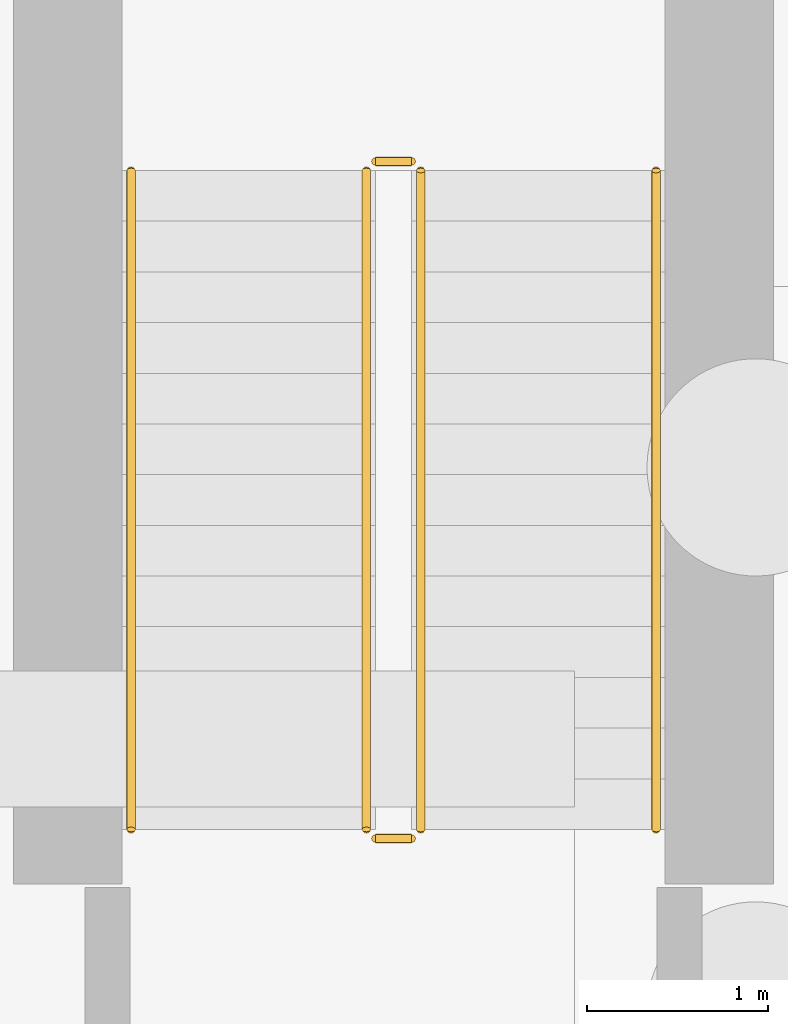
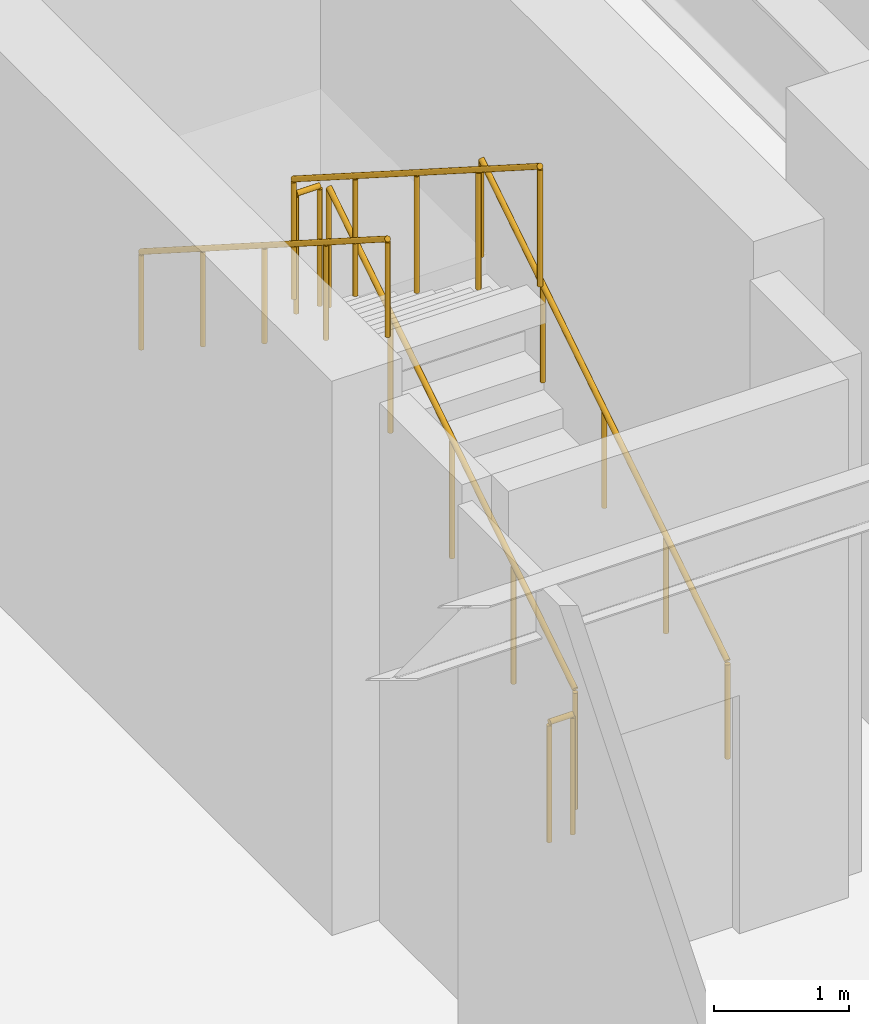
# One storey, part 14 of 15: 6 railings.
"""IFC4 building model written with IfcOpenShell, lengths in metres."""

from ifc_helpers import new_model, si_unit, direction, frame, origin, origin_2d, place, context, subcontext, project, spatial, circle, extrude, material, type_object, element, save


model = new_model("IFC4")

# Units and contexts
model_context = context("Model", 3, precision=1e-05, world=origin(), true_north=direction((0.0, 1.0)))
body_context = subcontext(model_context, "Body", "Model", "MODEL_VIEW")
ifc_project = project(units=[si_unit("LENGTHUNIT", "METRE"), si_unit("AREAUNIT", "SQUARE_METRE"), si_unit("VOLUMEUNIT", "CUBIC_METRE"), si_unit("PLANEANGLEUNIT", "RADIAN"), si_unit("MASSUNIT", "GRAM", prefix="KILO")], contexts=[model_context])

# Site, building, storey
site_placement = place(None, origin())
site = spatial("IfcSite", under=ifc_project, at=site_placement, CompositionType="ELEMENT")
building_placement = place(site_placement, origin())
building = spatial("IfcBuilding", under=site, at=building_placement, Name="Quenlor Broadcast Tower", CompositionType="ELEMENT")
storey_placement = place(building_placement, frame((0.0, 0.0, -10.0)))
storey = spatial("IfcBuildingStorey", under=building, at=storey_placement, Name="B02", CompositionType="ELEMENT", Elevation=-10.0)

# Railings
ifc_material_1 = material(Name="Anodised Aluminium", Category="aluminium")
railing_type_1 = type_object("IfcRailingType", Name="Stainless Aluminium Wall Handrail 900", PredefinedType="HANDRAIL", material=ifc_material_1)
railing_1_placement = place(storey_placement, frame((32.550048828125, 14.5, 0.178466796875)))
element("IfcRailing", 1, at=railing_1_placement, inside=storey, type_object=railing_type_1, Name="B02 ST-4 stair handrail 1", PredefinedType="HANDRAIL", context=body_context, shape_type="SweptSolid", body=[
    extrude(circle(Radius=0.02392578125, at=origin_2d()), frame((0.0, 0.0, 0.8759765625), z_axis=(0.0, 0.843111507901, 0.53773877045), x_axis=(-1.0, 0.0, 0.0)), (0.0, 0.0, 1.0), 4.317138671875),
    extrude(circle(Radius=0.02099609375, at=origin_2d()), origin(), (0.0, 0.0, 1.0), 0.851806640625),
    extrude(circle(Radius=0.02099609375, at=origin_2d()), frame((0.0, 0.909912109375, 0.580322265625)), (0.0, 0.0, 1.0), 0.851806640625),
    extrude(circle(Radius=0.02099609375, at=origin_2d()), frame((0.0, 1.81982421875, 1.16064453125)), (0.0, 0.0, 1.0), 0.851806640625),
    extrude(circle(Radius=0.02099609375, at=origin_2d()), frame((0.0, 2.72998046875, 1.7412109375)), (0.0, 0.0, 1.0), 0.851806640625),
    extrude(circle(Radius=0.02099609375, at=origin_2d()), frame((0.0, 3.639892578125, 2.321533203125)), (0.0, 0.0, 1.0), 0.851806640625),
])
railing_2_placement = place(storey_placement, frame((29.64990234375, 18.139892578125, 2.678466796875)))
element("IfcRailing", 2, at=railing_2_placement, inside=storey, type_object=railing_type_1, Name="B02 ST-4 stair handrail 2", PredefinedType="HANDRAIL", context=body_context, shape_type="SweptSolid", body=[
    extrude(circle(Radius=0.02392578125, at=origin_2d()), frame((0.0, 0.0, 0.8759765625), z_axis=(0.0, -0.843111507901, 0.53773877045), x_axis=(1.0, 0.0, 0.0)), (0.0, 0.0, 1.0), 4.317138671875),
    extrude(circle(Radius=0.02099609375, at=origin_2d()), origin(), (0.0, 0.0, 1.0), 0.851806640625),
    extrude(circle(Radius=0.02099609375, at=origin_2d()), frame((0.0, -0.909912109375, 0.580322265625)), (0.0, 0.0, 1.0), 0.851806640625),
    extrude(circle(Radius=0.02099609375, at=origin_2d()), frame((0.0, -1.81982421875, 1.16064453125)), (0.0, 0.0, 1.0), 0.851806640625),
    extrude(circle(Radius=0.02099609375, at=origin_2d()), frame((0.0, -2.72998046875, 1.7412109375)), (0.0, 0.0, 1.0), 0.851806640625),
    extrude(circle(Radius=0.02099609375, at=origin_2d()), frame((0.0, -3.639892578125, 2.321533203125)), (0.0, 0.0, 1.0), 0.851806640625),
])
ifc_material_2 = material(Name="Steel S355", Category="steel")
railing_type_2 = type_object("IfcRailingType", Name="Tubular Steel S355 Stair Guardrail 1100", PredefinedType="BALUSTRADE", material=ifc_material_2)
railing_3_placement = place(storey_placement, frame((31.25, 14.5, 0.178466796875)))
element("IfcRailing", 3, at=railing_3_placement, inside=storey, type_object=railing_type_2, Name="B02 ST-4 stair guard 1", PredefinedType="BALUSTRADE", context=body_context, shape_type="SweptSolid", body=[
    extrude(circle(Radius=0.02392578125, at=origin_2d()), frame((0.0, 0.0, 1.076171875), z_axis=(0.0, 0.843111507901, 0.53773877045), x_axis=(-1.0, 0.0, 0.0)), (0.0, 0.0, 1.0), 4.317138671875),
    extrude(circle(Radius=0.02099609375, at=origin_2d()), origin(), (0.0, 0.0, 1.0), 1.052001953125),
    extrude(circle(Radius=0.02099609375, at=origin_2d()), frame((0.0, 0.909912109375, 0.580322265625)), (0.0, 0.0, 1.0), 1.052001953125),
    extrude(circle(Radius=0.02099609375, at=origin_2d()), frame((0.0, 1.81982421875, 1.16064453125)), (0.0, 0.0, 1.0), 1.052001953125),
    extrude(circle(Radius=0.02099609375, at=origin_2d()), frame((0.0, 2.72998046875, 1.7412109375)), (0.0, 0.0, 1.0), 1.052001953125),
    extrude(circle(Radius=0.02099609375, at=origin_2d()), frame((0.0, 3.639892578125, 2.321533203125)), (0.0, 0.0, 1.0), 1.052001953125),
])
railing_4_placement = place(storey_placement, frame((31.199951171875, 18.18994140625, 2.5)))
element("IfcRailing", 4, at=railing_4_placement, inside=storey, type_object=railing_type_2, Name="B02 ST-4 stair guard 2", PredefinedType="BALUSTRADE", context=body_context, shape_type="SweptSolid", body=[
    extrude(circle(Radius=0.02392578125, at=origin_2d()), frame((0.0, 0.0, 1.076171875), z_axis=(-1.0, 0.0, 0.0), x_axis=(0.0, -1.0, 0.0)), (0.0, 0.0, 1.0), 0.199951171875),
    extrude(circle(Radius=0.02099609375, at=origin_2d()), origin(), (0.0, 0.0, 1.0), 1.052001953125),
    extrude(circle(Radius=0.02099609375, at=origin_2d()), frame((-0.199951171875, 0.0, 0.0)), (0.0, 0.0, 1.0), 1.052001953125),
])
railing_5_placement = place(storey_placement, frame((30.949951171875, 18.139892578125, 2.678466796875)))
element("IfcRailing", 5, at=railing_5_placement, inside=storey, type_object=railing_type_2, Name="B02 ST-4 stair guard 3", PredefinedType="BALUSTRADE", context=body_context, shape_type="SweptSolid", body=[
    extrude(circle(Radius=0.02392578125, at=origin_2d()), frame((0.0, 0.0, 1.076171875), z_axis=(0.0, -0.843111507901, 0.53773877045), x_axis=(1.0, 0.0, 0.0)), (0.0, 0.0, 1.0), 4.317138671875),
    extrude(circle(Radius=0.02099609375, at=origin_2d()), origin(), (0.0, 0.0, 1.0), 1.052001953125),
    extrude(circle(Radius=0.02099609375, at=origin_2d()), frame((0.0, -0.909912109375, 0.580322265625)), (0.0, 0.0, 1.0), 1.052001953125),
    extrude(circle(Radius=0.02099609375, at=origin_2d()), frame((0.0, -1.81982421875, 1.16064453125)), (0.0, 0.0, 1.0), 1.052001953125),
    extrude(circle(Radius=0.02099609375, at=origin_2d()), frame((0.0, -2.72998046875, 1.7412109375)), (0.0, 0.0, 1.0), 1.052001953125),
    extrude(circle(Radius=0.02099609375, at=origin_2d()), frame((0.0, -3.639892578125, 2.321533203125)), (0.0, 0.0, 1.0), 1.052001953125),
])
railing_6_placement = place(storey_placement, frame((31.199951171875, 14.449951171875, 0.0)))
element("IfcRailing", 6, at=railing_6_placement, inside=storey, type_object=railing_type_2, Name="B02 ST-4 stair guard 4", PredefinedType="BALUSTRADE", context=body_context, shape_type="SweptSolid", body=[
    extrude(circle(Radius=0.02392578125, at=origin_2d()), frame((0.0, 0.0, 1.076171875), z_axis=(-1.0, 0.0, 0.0), x_axis=(0.0, -1.0, 0.0)), (0.0, 0.0, 1.0), 0.199951171875),
    extrude(circle(Radius=0.02099609375, at=origin_2d()), origin(), (0.0, 0.0, 1.0), 1.052001953125),
    extrude(circle(Radius=0.02099609375, at=origin_2d()), frame((-0.199951171875, 0.0, 0.0)), (0.0, 0.0, 1.0), 1.052001953125),
])

save(model, "model.ifc")
